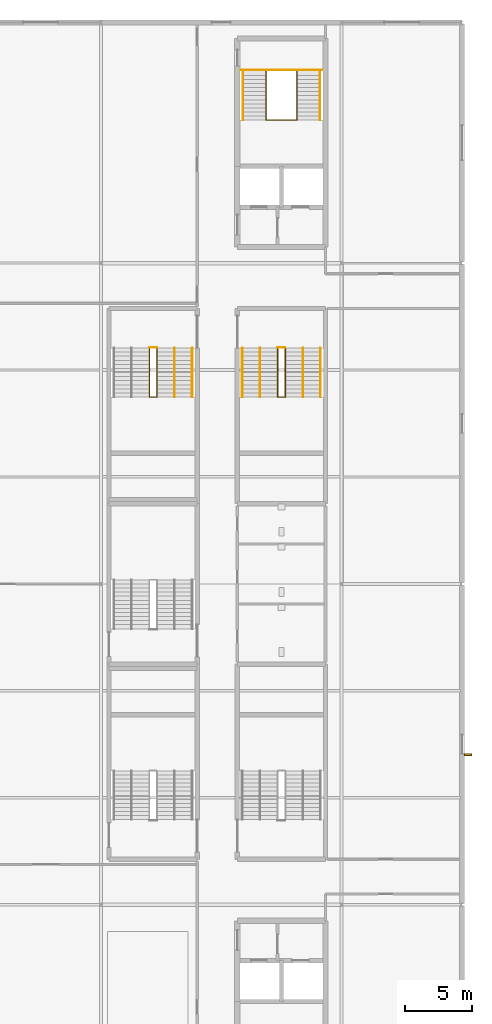
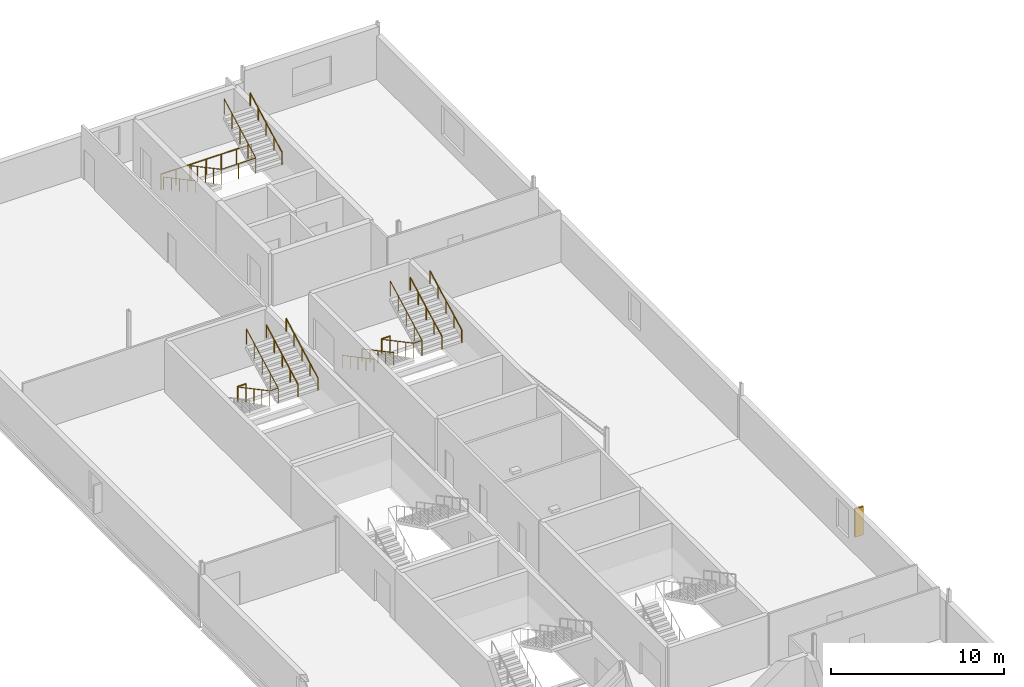
# One storey, part 34 of 35: 14 railings, 1 shading device.
"""IFC4 building model written with IfcOpenShell, lengths in metres."""

from ifc_helpers import new_model, si_unit, direction, frame, origin, origin_2d, place, context, subcontext, project, spatial, rectangle, circle, extrude, material, type_object, element, save


model = new_model("IFC4")

# Units and contexts
model_context = context("Model", 3, precision=1e-05, world=origin(), true_north=direction((0.0, 1.0)))
body_context = subcontext(model_context, "Body", "Model", "MODEL_VIEW")
ifc_project = project(units=[si_unit("LENGTHUNIT", "METRE"), si_unit("AREAUNIT", "SQUARE_METRE"), si_unit("VOLUMEUNIT", "CUBIC_METRE"), si_unit("PLANEANGLEUNIT", "RADIAN"), si_unit("MASSUNIT", "GRAM", prefix="KILO")], contexts=[model_context])

# Site, building, storey
site_placement = place(None, origin())
site = spatial("IfcSite", under=ifc_project, at=site_placement, CompositionType="ELEMENT")
building_placement = place(site_placement, origin())
building = spatial("IfcBuilding", under=site, at=building_placement, Name="Kisiwana Market Hall", CompositionType="ELEMENT")
storey_placement = place(building_placement, frame((0.0, 0.0, 61.800048828125)))
storey = spatial("IfcBuildingStorey", under=building, at=storey_placement, Name="L14", CompositionType="ELEMENT", Elevation=61.800048828125)

# Railings
ifc_material_1 = material(Name="Steel S275", Category="steel")
railing_type_1 = type_object("IfcRailingType", Name="RL-GUARD-1100", PredefinedType="GUARDRAIL", material=ifc_material_1)
railing_1_placement = place(storey_placement, frame((183.35009765625, 98.3505859375, 0.0)))
element("IfcRailing", 1, at=railing_1_placement, inside=storey, type_object=railing_type_1, Name="Stair ST-E1-L14 inner-well guardrail (RL-1599)", PredefinedType="GUARDRAIL", context=body_context, shape_type="SweptSolid", body=[
    extrude(circle(Radius=0.02392578125, at=origin_2d()), frame((0.0, 0.0, 1.076171875), z_axis=(0.0, -0.882566327451, 0.470187917379), x_axis=(1.0, 0.0, 0.0)), (0.0, 0.0, 1.0), 4.147216796875),
    extrude(circle(Radius=0.02392578125, at=origin_2d()), frame((0.0, -3.66015625, 3.02587890625), z_axis=(1.0, 0.0, 0.0), x_axis=(0.0, 1.0, 0.0)), (0.0, 0.0, 1.0), 2.2998046875),
    extrude(circle(Radius=0.02392578125, at=origin_2d()), frame((2.2998046875, -3.66015625, 3.02587890625), z_axis=(0.0, 0.882566327451, 0.470187917379), x_axis=(-1.0, 0.0, 0.0)), (0.0, 0.0, 1.0), 4.147216796875),
    extrude(circle(Radius=0.02099609375, at=origin_2d()), origin(), (0.0, 0.0, 1.0), 1.052001953125),
    extrude(circle(Radius=0.02099609375, at=origin_2d()), frame((0.0, -0.9150390625, 0.487548828125)), (0.0, 0.0, 1.0), 1.052001953125),
    extrude(circle(Radius=0.02099609375, at=origin_2d()), frame((0.0, -1.830078125, 0.97509765625)), (0.0, 0.0, 1.0), 1.052001953125),
    extrude(circle(Radius=0.02099609375, at=origin_2d()), frame((0.0, -2.7451171875, 1.46240234375)), (0.0, 0.0, 1.0), 1.052001953125),
    extrude(circle(Radius=0.02099609375, at=origin_2d()), frame((0.0, -3.66015625, 1.949951171875)), (0.0, 0.0, 1.0), 1.052001953125),
    extrude(circle(Radius=0.02099609375, at=origin_2d()), frame((1.14990234375, -3.66015625, 1.949951171875)), (0.0, 0.0, 1.0), 1.052001953125),
    extrude(circle(Radius=0.02099609375, at=origin_2d()), frame((2.2998046875, -3.66015625, 1.949951171875)), (0.0, 0.0, 1.0), 1.052001953125),
    extrude(circle(Radius=0.02099609375, at=origin_2d()), frame((2.2998046875, -2.7451171875, 2.4375)), (0.0, 0.0, 1.0), 1.052001953125),
    extrude(circle(Radius=0.02099609375, at=origin_2d()), frame((2.2998046875, -1.830078125, 2.9248046875)), (0.0, 0.0, 1.0), 1.052001953125),
    extrude(circle(Radius=0.02099609375, at=origin_2d()), frame((2.2998046875, -0.9150390625, 3.412353515625)), (0.0, 0.0, 1.0), 1.052001953125),
    extrude(circle(Radius=0.02099609375, at=origin_2d()), frame((2.2998046875, 0.0, 3.89990234375)), (0.0, 0.0, 1.0), 1.052001953125),
])
railing_2_placement = place(storey_placement, frame((181.47998046875, 98.430419921875, 0.0)))
element("IfcRailing", 2, at=railing_2_placement, inside=storey, type_object=railing_type_1, Name="Stair ST-E1-L14 landing edge guardrail (RL-1602)", PredefinedType="GUARDRAIL", context=body_context, shape_type="SweptSolid", body=[
    extrude(circle(Radius=0.02392578125, at=origin_2d()), frame((0.0, 0.0, 1.076171875), z_axis=(1.0, 0.0, 0.0), x_axis=(0.0, 1.0, 0.0)), (0.0, 0.0, 1.0), 6.0400390625),
    extrude(circle(Radius=0.02099609375, at=origin_2d()), origin(), (0.0, 0.0, 1.0), 1.052001953125),
    extrude(circle(Radius=0.02099609375, at=origin_2d()), frame((1.006591796875, 0.0, 0.0)), (0.0, 0.0, 1.0), 1.052001953125),
    extrude(circle(Radius=0.02099609375, at=origin_2d()), frame((2.013427734375, 0.0, 0.0)), (0.0, 0.0, 1.0), 1.052001953125),
    extrude(circle(Radius=0.02099609375, at=origin_2d()), frame((3.02001953125, 0.0, 0.0)), (0.0, 0.0, 1.0), 1.052001953125),
    extrude(circle(Radius=0.02099609375, at=origin_2d()), frame((4.026611328125, 0.0, 0.0)), (0.0, 0.0, 1.0), 1.052001953125),
    extrude(circle(Radius=0.02099609375, at=origin_2d()), frame((5.033447265625, 0.0, 0.0)), (0.0, 0.0, 1.0), 1.052001953125),
    extrude(circle(Radius=0.02099609375, at=origin_2d()), frame((6.0400390625, 0.0, 0.0)), (0.0, 0.0, 1.0), 1.052001953125),
])
railing_3_placement = place(storey_placement, frame((184.219970703125, 77.639892578125, 0.0)))
element("IfcRailing", 3, at=railing_3_placement, inside=storey, type_object=railing_type_1, Name="Stair ST-E4-L14 inner-well guardrail (RL-1621)", PredefinedType="GUARDRAIL", context=body_context, shape_type="SweptSolid", body=[
    extrude(circle(Radius=0.02392578125, at=origin_2d()), frame((0.0, 0.0, 1.076171875), z_axis=(0.0, -0.88255331184, 0.47021234752), x_axis=(1.0, 0.0, 0.0)), (0.0, 0.0, 1.0), 4.14697265625),
    extrude(circle(Radius=0.02392578125, at=origin_2d()), frame((0.0, -3.659912109375, 3.02587890625), z_axis=(1.0, 0.0, 0.0), x_axis=(0.0, 1.0, 0.0)), (0.0, 0.0, 1.0), 0.56005859375),
    extrude(circle(Radius=0.02392578125, at=origin_2d()), frame((0.56005859375, -3.659912109375, 3.02587890625), z_axis=(0.0, 0.88255331184, 0.47021234752), x_axis=(-1.0, 0.0, 0.0)), (0.0, 0.0, 1.0), 4.14697265625),
    extrude(circle(Radius=0.02099609375, at=origin_2d()), origin(), (0.0, 0.0, 1.0), 1.052001953125),
    extrude(circle(Radius=0.02099609375, at=origin_2d()), frame((0.0, -0.9150390625, 0.487548828125)), (0.0, 0.0, 1.0), 1.052001953125),
    extrude(circle(Radius=0.02099609375, at=origin_2d()), frame((0.0, -1.830078125, 0.97509765625)), (0.0, 0.0, 1.0), 1.052001953125),
    extrude(circle(Radius=0.02099609375, at=origin_2d()), frame((0.0, -2.744873046875, 1.46240234375)), (0.0, 0.0, 1.0), 1.052001953125),
    extrude(circle(Radius=0.02099609375, at=origin_2d()), frame((0.0, -3.659912109375, 1.949951171875)), (0.0, 0.0, 1.0), 1.052001953125),
    extrude(circle(Radius=0.02099609375, at=origin_2d()), frame((0.56005859375, -3.659912109375, 1.949951171875)), (0.0, 0.0, 1.0), 1.052001953125),
    extrude(circle(Radius=0.02099609375, at=origin_2d()), frame((0.56005859375, -2.744873046875, 2.4375)), (0.0, 0.0, 1.0), 1.052001953125),
    extrude(circle(Radius=0.02099609375, at=origin_2d()), frame((0.56005859375, -1.830078125, 2.9248046875)), (0.0, 0.0, 1.0), 1.052001953125),
    extrude(circle(Radius=0.02099609375, at=origin_2d()), frame((0.56005859375, -0.9150390625, 3.412353515625)), (0.0, 0.0, 1.0), 1.052001953125),
    extrude(circle(Radius=0.02099609375, at=origin_2d()), frame((0.56005859375, 0.0, 3.89990234375)), (0.0, 0.0, 1.0), 1.052001953125),
])
railing_4_placement = place(storey_placement, frame((184.219970703125, 77.68994140625, 0.0)))
element("IfcRailing", 4, at=railing_4_placement, inside=storey, type_object=railing_type_1, Name="Stair ST-E4-L14 landing edge guardrail (RL-1626)", PredefinedType="GUARDRAIL", context=body_context, shape_type="SweptSolid", body=[
    extrude(circle(Radius=0.02392578125, at=origin_2d()), frame((0.0, 0.0, 1.076171875), z_axis=(1.0, 0.0, 0.0), x_axis=(0.0, 1.0, 0.0)), (0.0, 0.0, 1.0), 0.56005859375),
    extrude(circle(Radius=0.02099609375, at=origin_2d()), origin(), (0.0, 0.0, 1.0), 1.052001953125),
    extrude(circle(Radius=0.02099609375, at=origin_2d()), frame((0.56005859375, 0.0, 0.0)), (0.0, 0.0, 1.0), 1.052001953125),
])
railing_5_placement = place(storey_placement, frame((174.6201171875, 77.639892578125, 0.0)))
element("IfcRailing", 5, at=railing_5_placement, inside=storey, type_object=railing_type_1, Name="Stair ST-E8-L14 inner-well guardrail (RL-1645)", PredefinedType="GUARDRAIL", context=body_context, shape_type="SweptSolid", body=[
    extrude(circle(Radius=0.02392578125, at=origin_2d()), frame((0.0, 0.0, 1.076171875), z_axis=(0.0, -0.88255331184, 0.47021234752), x_axis=(1.0, 0.0, 0.0)), (0.0, 0.0, 1.0), 4.14697265625),
    extrude(circle(Radius=0.02392578125, at=origin_2d()), frame((0.0, -3.659912109375, 3.02587890625), z_axis=(1.0, 0.0, 0.0), x_axis=(0.0, 1.0, 0.0)), (0.0, 0.0, 1.0), 0.559814453125),
    extrude(circle(Radius=0.02392578125, at=origin_2d()), frame((0.559814453125, -3.659912109375, 3.02587890625), z_axis=(0.0, 0.88255331184, 0.47021234752), x_axis=(-1.0, 0.0, 0.0)), (0.0, 0.0, 1.0), 4.14697265625),
    extrude(circle(Radius=0.02099609375, at=origin_2d()), origin(), (0.0, 0.0, 1.0), 1.052001953125),
    extrude(circle(Radius=0.02099609375, at=origin_2d()), frame((0.0, -0.9150390625, 0.487548828125)), (0.0, 0.0, 1.0), 1.052001953125),
    extrude(circle(Radius=0.02099609375, at=origin_2d()), frame((0.0, -1.830078125, 0.97509765625)), (0.0, 0.0, 1.0), 1.052001953125),
    extrude(circle(Radius=0.02099609375, at=origin_2d()), frame((0.0, -2.744873046875, 1.46240234375)), (0.0, 0.0, 1.0), 1.052001953125),
    extrude(circle(Radius=0.02099609375, at=origin_2d()), frame((0.0, -3.659912109375, 1.949951171875)), (0.0, 0.0, 1.0), 1.052001953125),
    extrude(circle(Radius=0.02099609375, at=origin_2d()), frame((0.559814453125, -3.659912109375, 1.949951171875)), (0.0, 0.0, 1.0), 1.052001953125),
    extrude(circle(Radius=0.02099609375, at=origin_2d()), frame((0.559814453125, -2.744873046875, 2.4375)), (0.0, 0.0, 1.0), 1.052001953125),
    extrude(circle(Radius=0.02099609375, at=origin_2d()), frame((0.559814453125, -1.830078125, 2.9248046875)), (0.0, 0.0, 1.0), 1.052001953125),
    extrude(circle(Radius=0.02099609375, at=origin_2d()), frame((0.559814453125, -0.9150390625, 3.412353515625)), (0.0, 0.0, 1.0), 1.052001953125),
    extrude(circle(Radius=0.02099609375, at=origin_2d()), frame((0.559814453125, 0.0, 3.89990234375)), (0.0, 0.0, 1.0), 1.052001953125),
])
railing_6_placement = place(storey_placement, frame((174.6201171875, 77.68994140625, 0.0)))
element("IfcRailing", 6, at=railing_6_placement, inside=storey, type_object=railing_type_1, Name="Stair ST-E8-L14 landing edge guardrail (RL-1650)", PredefinedType="GUARDRAIL", context=body_context, shape_type="SweptSolid", body=[
    extrude(circle(Radius=0.02392578125, at=origin_2d()), frame((0.0, 0.0, 1.076171875), z_axis=(1.0, 0.0, 0.0), x_axis=(0.0, 1.0, 0.0)), (0.0, 0.0, 1.0), 0.559814453125),
    extrude(circle(Radius=0.02099609375, at=origin_2d()), origin(), (0.0, 0.0, 1.0), 1.052001953125),
    extrude(circle(Radius=0.02099609375, at=origin_2d()), frame((0.559814453125, 0.0, 0.0)), (0.0, 0.0, 1.0), 1.052001953125),
])
ifc_material_2 = material(Name="Steel S275", Category="steel")
railing_type_2 = type_object("IfcRailingType", Name="RL-HAND-900", PredefinedType="HANDRAIL", material=ifc_material_2)
railing_7_placement = place(storey_placement, frame((181.610107421875, 98.3505859375, 0.0)))
element("IfcRailing", 7, at=railing_7_placement, inside=storey, type_object=railing_type_2, Name="Stair ST-E1-L14 flight 1 handrail (RL-1600)", PredefinedType="HANDRAIL", context=body_context, shape_type="SweptSolid", body=[
    extrude(circle(Radius=0.02392578125, at=origin_2d()), frame((0.0, 0.0, 0.8759765625), z_axis=(0.0, -0.882566327451, 0.470187917379), x_axis=(1.0, 0.0, 0.0)), (0.0, 0.0, 1.0), 4.147216796875),
    extrude(circle(Radius=0.02099609375, at=origin_2d()), origin(), (0.0, 0.0, 1.0), 0.851806640625),
    extrude(circle(Radius=0.02099609375, at=origin_2d()), frame((0.0, -0.9150390625, 0.487548828125)), (0.0, 0.0, 1.0), 0.851806640625),
    extrude(circle(Radius=0.02099609375, at=origin_2d()), frame((0.0, -1.830078125, 0.97509765625)), (0.0, 0.0, 1.0), 0.851806640625),
    extrude(circle(Radius=0.02099609375, at=origin_2d()), frame((0.0, -2.7451171875, 1.46240234375)), (0.0, 0.0, 1.0), 0.851806640625),
    extrude(circle(Radius=0.02099609375, at=origin_2d()), frame((0.0, -3.66015625, 1.949951171875)), (0.0, 0.0, 1.0), 0.851806640625),
])
railing_8_placement = place(storey_placement, frame((187.389892578125, 94.6904296875, 1.949951171875)))
element("IfcRailing", 8, at=railing_8_placement, inside=storey, type_object=railing_type_2, Name="Stair ST-E1-L14 flight 2 handrail (RL-1601)", PredefinedType="HANDRAIL", context=body_context, shape_type="SweptSolid", body=[
    extrude(circle(Radius=0.02392578125, at=origin_2d()), frame((0.0, 0.0, 0.8759765625), z_axis=(0.0, 0.882566327451, 0.470187917379), x_axis=(-1.0, 0.0, 0.0)), (0.0, 0.0, 1.0), 4.147216796875),
    extrude(circle(Radius=0.02099609375, at=origin_2d()), origin(), (0.0, 0.0, 1.0), 0.851806640625),
    extrude(circle(Radius=0.02099609375, at=origin_2d()), frame((0.0, 0.9150390625, 0.487548828125)), (0.0, 0.0, 1.0), 0.851806640625),
    extrude(circle(Radius=0.02099609375, at=origin_2d()), frame((0.0, 1.830078125, 0.97509765625)), (0.0, 0.0, 1.0), 0.851806640625),
    extrude(circle(Radius=0.02099609375, at=origin_2d()), frame((0.0, 2.7451171875, 1.46240234375)), (0.0, 0.0, 1.0), 0.851806640625),
    extrude(circle(Radius=0.02099609375, at=origin_2d()), frame((0.0, 3.66015625, 1.949951171875)), (0.0, 0.0, 1.0), 0.851806640625),
])
railing_9_placement = place(storey_placement, frame((181.570068359375, 77.639892578125, 0.0)))
element("IfcRailing", 9, at=railing_9_placement, inside=storey, type_object=railing_type_2, Name="Stair ST-E4-L14 flight 1 handrail (RL-1622)", PredefinedType="HANDRAIL", context=body_context, shape_type="SweptSolid", body=[
    extrude(circle(Radius=0.02392578125, at=origin_2d()), frame((0.0, 0.0, 0.8759765625), z_axis=(0.0, -0.88255331184, 0.47021234752), x_axis=(1.0, 0.0, 0.0)), (0.0, 0.0, 1.0), 4.14697265625),
    extrude(circle(Radius=0.02099609375, at=origin_2d()), origin(), (0.0, 0.0, 1.0), 0.851806640625),
    extrude(circle(Radius=0.02099609375, at=origin_2d()), frame((0.0, -0.9150390625, 0.487548828125)), (0.0, 0.0, 1.0), 0.851806640625),
    extrude(circle(Radius=0.02099609375, at=origin_2d()), frame((0.0, -1.830078125, 0.97509765625)), (0.0, 0.0, 1.0), 0.851806640625),
    extrude(circle(Radius=0.02099609375, at=origin_2d()), frame((0.0, -2.744873046875, 1.46240234375)), (0.0, 0.0, 1.0), 0.851806640625),
    extrude(circle(Radius=0.02099609375, at=origin_2d()), frame((0.0, -3.659912109375, 1.949951171875)), (0.0, 0.0, 1.0), 0.851806640625),
])
railing_10_placement = place(storey_placement, frame((187.429931640625, 73.97998046875, 1.949951171875)))
element("IfcRailing", 10, at=railing_10_placement, inside=storey, type_object=railing_type_2, Name="Stair ST-E4-L14 flight 2 handrail (RL-1623)", PredefinedType="HANDRAIL", context=body_context, shape_type="SweptSolid", body=[
    extrude(circle(Radius=0.02392578125, at=origin_2d()), frame((0.0, 0.0, 0.8759765625), z_axis=(0.0, 0.88255331184, 0.47021234752), x_axis=(-1.0, 0.0, 0.0)), (0.0, 0.0, 1.0), 4.14697265625),
    extrude(circle(Radius=0.02099609375, at=origin_2d()), origin(), (0.0, 0.0, 1.0), 0.851806640625),
    extrude(circle(Radius=0.02099609375, at=origin_2d()), frame((0.0, 0.9150390625, 0.487548828125)), (0.0, 0.0, 1.0), 0.851806640625),
    extrude(circle(Radius=0.02099609375, at=origin_2d()), frame((0.0, 1.830078125, 0.97509765625)), (0.0, 0.0, 1.0), 0.851806640625),
    extrude(circle(Radius=0.02099609375, at=origin_2d()), frame((0.0, 2.744873046875, 1.46240234375)), (0.0, 0.0, 1.0), 0.851806640625),
    extrude(circle(Radius=0.02099609375, at=origin_2d()), frame((0.0, 3.659912109375, 1.949951171875)), (0.0, 0.0, 1.0), 0.851806640625),
])
railing_11_placement = place(storey_placement, frame((182.889892578125, 77.639892578125, 0.0)))
element("IfcRailing", 11, at=railing_11_placement, inside=storey, type_object=railing_type_2, Name="Stair ST-E4-L14 flight 1 intermediate handrail (RL-1624)", PredefinedType="HANDRAIL", context=body_context, shape_type="SweptSolid", body=[
    extrude(circle(Radius=0.02392578125, at=origin_2d()), frame((0.0, 0.0, 0.8759765625), z_axis=(0.0, -0.88255331184, 0.47021234752), x_axis=(1.0, 0.0, 0.0)), (0.0, 0.0, 1.0), 4.14697265625),
    extrude(circle(Radius=0.02099609375, at=origin_2d()), origin(), (0.0, 0.0, 1.0), 0.851806640625),
    extrude(circle(Radius=0.02099609375, at=origin_2d()), frame((0.0, -0.9150390625, 0.487548828125)), (0.0, 0.0, 1.0), 0.851806640625),
    extrude(circle(Radius=0.02099609375, at=origin_2d()), frame((0.0, -1.830078125, 0.97509765625)), (0.0, 0.0, 1.0), 0.851806640625),
    extrude(circle(Radius=0.02099609375, at=origin_2d()), frame((0.0, -2.744873046875, 1.46240234375)), (0.0, 0.0, 1.0), 0.851806640625),
    extrude(circle(Radius=0.02099609375, at=origin_2d()), frame((0.0, -3.659912109375, 1.949951171875)), (0.0, 0.0, 1.0), 0.851806640625),
])
for number, where, name in (
    (12, (186.110107421875, 73.97998046875, 1.949951171875), "Stair ST-E4-L14 flight 2 intermediate handrail (RL-1625)"),
    (13, (177.830078125, 73.97998046875, 1.949951171875), "Stair ST-E8-L14 flight 2 handrail (RL-1647)"),
    (14, (176.510009765625, 73.97998046875, 1.949951171875), "Stair ST-E8-L14 flight 2 intermediate handrail (RL-1649)"),
):
    element("IfcRailing", number, at=place(storey_placement, frame(where)), inside=storey, type_object=railing_type_2, Name=name, PredefinedType="HANDRAIL", context=body_context, shape_type="SweptSolid", body=[
        extrude(circle(Radius=0.02392578125, at=origin_2d()), frame((0.0, 0.0, 0.8759765625), z_axis=(0.0, 0.88255331184, 0.47021234752), x_axis=(-1.0, 0.0, 0.0)), (0.0, 0.0, 1.0), 4.14697265625),
        extrude(circle(Radius=0.02099609375, at=origin_2d()), origin(), (0.0, 0.0, 1.0), 0.851806640625),
        extrude(circle(Radius=0.02099609375, at=origin_2d()), frame((0.0, 0.9150390625, 0.487548828125)), (0.0, 0.0, 1.0), 0.851806640625),
        extrude(circle(Radius=0.02099609375, at=origin_2d()), frame((0.0, 1.830078125, 0.97509765625)), (0.0, 0.0, 1.0), 0.851806640625),
        extrude(circle(Radius=0.02099609375, at=origin_2d()), frame((0.0, 2.744873046875, 1.46240234375)), (0.0, 0.0, 1.0), 0.851806640625),
        extrude(circle(Radius=0.02099609375, at=origin_2d()), frame((0.0, 3.659912109375, 1.949951171875)), (0.0, 0.0, 1.0), 0.851806640625),
    ])

# Shading device
ifc_material_3 = material(Name="Aluminium alloy 6063-T6", Category="aluminium")
shading_device_type = type_object("IfcShadingDeviceType", Name="SHD-SHUTTER-V", PredefinedType="SHUTTER", material=ifc_material_3)
shading_device_placement = place(storey_placement, frame((198.45751953125, 47.219970703125, 0.699951171875), z_axis=(0.0, 0.0, 1.0), x_axis=(0.0, 1.0, 0.0)))
element("IfcShadingDevice", 15, at=shading_device_placement, inside=storey, type_object=shading_device_type, Name="Vertical solar fin SHD-220 SD-219", PredefinedType="SHUTTER", context=body_context, shape_type="SweptSolid", body=[
    extrude(rectangle(XDim=0.1201171875, YDim=0.550048828125, at=origin_2d()), origin(), (0.0, 0.0, 1.0), 2.0),
])

save(model, "model.ifc")
